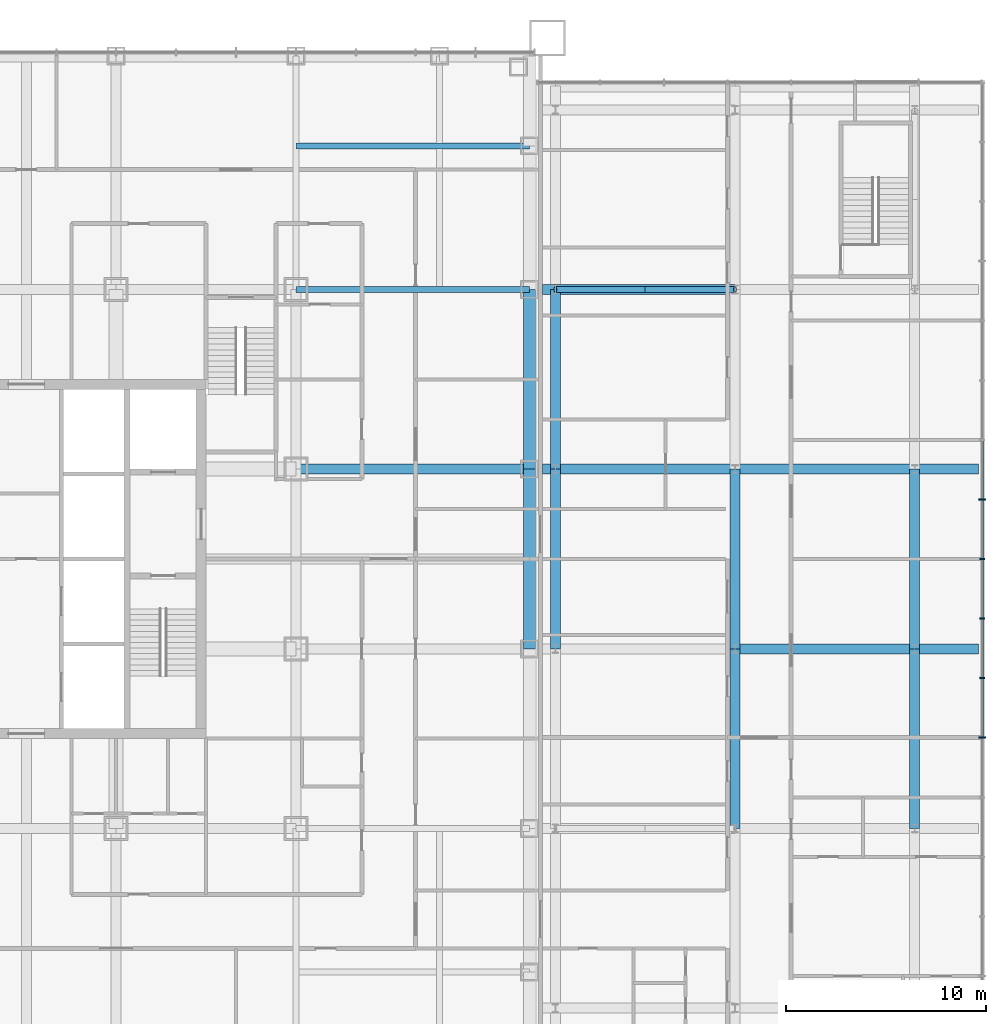
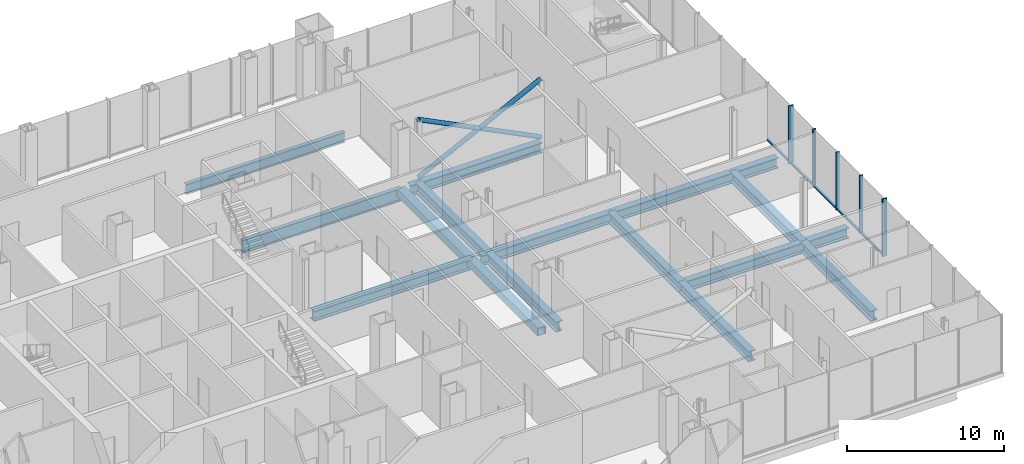
# One storey, part 11 of 25: 15 beams, 12 members, 1 element without a shape of its own.
"""IFC4 building model written with IfcOpenShell, lengths in metres."""

from ifc_helpers import new_model, si_unit, direction, frame, origin, origin_2d, place, context, subcontext, project, spatial, rectangle, hollow_rectangle, hollow_circle, i_section, extrude, material, layer, layer_set, material_profile, profile_set, type_object, element, aggregate, save


model = new_model("IFC4")

# Units and contexts
model_context = context("Model", 3, precision=1e-05, world=origin(), true_north=direction((0.0, 1.0)))
body_context = subcontext(model_context, "Body", "Model", "MODEL_VIEW")
ifc_project = project(units=[si_unit("LENGTHUNIT", "METRE"), si_unit("AREAUNIT", "SQUARE_METRE"), si_unit("VOLUMEUNIT", "CUBIC_METRE"), si_unit("PLANEANGLEUNIT", "RADIAN"), si_unit("MASSUNIT", "GRAM", prefix="KILO")], contexts=[model_context])

# Site, building, storey
site_placement = place(None, origin())
site = spatial("IfcSite", under=ifc_project, at=site_placement, CompositionType="ELEMENT")
building_placement = place(site_placement, origin())
building = spatial("IfcBuilding", under=site, at=building_placement, Name="Malebo Sky Hospital", CompositionType="ELEMENT")
storey_placement = place(building_placement, frame((0.0, 0.0, 16.5)))
storey = spatial("IfcBuildingStorey", under=building, at=storey_placement, Name="L03", CompositionType="ELEMENT", Elevation=16.5)

# Curtain wall, members
ifc_material_1 = material(Name="Anodised aluminium, natural silver", Category="aluminium")
ifc_layer = layer(ifc_material_1, 0.25)
ifc_layer_set = layer_set([ifc_layer], Name="PODIUM CURTAIN WALL")
curtain_wall_type = type_object("IfcCurtainWallType", Name="PODIUM CURTAIN WALL", PredefinedType="NOTDEFINED", material=ifc_layer_set)
curtain_wall_placement = place(storey_placement, origin())
curtain_wall = element("IfcCurtainWall", 1, at=curtain_wall_placement, inside=storey, type_object=curtain_wall_type, Name="POD curtain wall EE", PredefinedType="NOTDEFINED")
ifc_material_profile_1 = material_profile(ifc_material_1, rectangle(XDim=0.14990234375, YDim=0.10009765625, at=origin_2d()), Name="ALUMINIUM TRANSOM 150x100")
ifc_profile_set_1 = profile_set([ifc_material_profile_1], Name="Anodised aluminium, natural silver")
member_type_1 = type_object("IfcMemberType", Name="ALUMINIUM TRANSOM 150x100", PredefinedType="USERDEFINED", material=ifc_profile_set_1)
member_1_placement = place(storey_placement, frame((107.875, 53.08447265625, 0.050048828125), z_axis=(0.0, 1.0, 0.0), x_axis=(-1.0, 0.0, 0.0)))
member_1 = element("IfcMember", 2, at=member_1_placement, type_object=member_type_1, Name="Transom 6", ObjectType="TRANSOM", PredefinedType="USERDEFINED", context=body_context, shape_type="SweptSolid", body=[
    extrude(rectangle(XDim=0.14990234375, YDim=0.10009765625, at=origin_2d()), origin(), (0.0, 0.0, 1.0), 2.9091796875),
])
member_2_placement = place(storey_placement, frame((107.875, 56.068603515625, 0.050048828125), z_axis=(0.0, 1.0, 0.0), x_axis=(-1.0, 0.0, 0.0)))
member_2 = element("IfcMember", 3, at=member_2_placement, type_object=member_type_1, Name="Transom 7", ObjectType="TRANSOM", PredefinedType="USERDEFINED", context=body_context, shape_type="SweptSolid", body=[
    extrude(rectangle(XDim=0.14990234375, YDim=0.10009765625, at=origin_2d()), origin(), (0.0, 0.0, 1.0), 2.909423828125),
])
member_3_placement = place(storey_placement, frame((107.875, 59.052978515625, 0.050048828125), z_axis=(0.0, 1.0, 0.0), x_axis=(-1.0, 0.0, 0.0)))
member_3 = element("IfcMember", 4, at=member_3_placement, type_object=member_type_1, Name="Transom 8", ObjectType="TRANSOM", PredefinedType="USERDEFINED", context=body_context, shape_type="SweptSolid", body=[
    extrude(rectangle(XDim=0.14990234375, YDim=0.10009765625, at=origin_2d()), origin(), (0.0, 0.0, 1.0), 2.909423828125),
])
member_4_placement = place(storey_placement, frame((107.875, 62.03759765625, 0.050048828125), z_axis=(0.0, 1.0, 0.0), x_axis=(-1.0, 0.0, 0.0)))
member_4 = element("IfcMember", 5, at=member_4_placement, type_object=member_type_1, Name="Transom 9", ObjectType="TRANSOM", PredefinedType="USERDEFINED", context=body_context, shape_type="SweptSolid", body=[
    extrude(rectangle(XDim=0.14990234375, YDim=0.10009765625, at=origin_2d()), origin(), (0.0, 0.0, 1.0), 2.909423828125),
])
member_5_placement = place(storey_placement, frame((107.875, 65.02197265625, 0.050048828125), z_axis=(0.0, 1.0, 0.0), x_axis=(-1.0, 0.0, 0.0)))
member_5 = element("IfcMember", 6, at=member_5_placement, type_object=member_type_1, Name="Transom 10", ObjectType="TRANSOM", PredefinedType="USERDEFINED", context=body_context, shape_type="SweptSolid", body=[
    extrude(rectangle(XDim=0.14990234375, YDim=0.10009765625, at=origin_2d()), origin(), (0.0, 0.0, 1.0), 2.909423828125),
])
ifc_material_profile_2 = material_profile(ifc_material_1, rectangle(XDim=0.074951171875, YDim=0.25, at=origin_2d()), Name="CW3 ALUMINIUM FIN MULLION 75x250")
ifc_profile_set_2 = profile_set([ifc_material_profile_2], Name="Anodised aluminium, natural silver")
member_type_2 = type_object("IfcMemberType", Name="CW3 ALUMINIUM FIN MULLION 75x250", PredefinedType="MULLION", material=ifc_profile_set_2)
member_6_placement = place(storey_placement, frame((107.875, 56.03125, 0.0), z_axis=(0.0, 0.0, 1.0), x_axis=(0.0, 1.0, 0.0)))
member_6 = element("IfcMember", 7, at=member_6_placement, type_object=member_type_2, Name="Fin mullion 7", PredefinedType="MULLION", context=body_context, shape_type="SweptSolid", body=[
    extrude(rectangle(XDim=0.074951171875, YDim=0.25, at=origin_2d()), origin(), (0.0, 0.0, 1.0), 4.5),
])
member_7_placement = place(storey_placement, frame((107.875, 59.015625, 0.0), z_axis=(0.0, 0.0, 1.0), x_axis=(0.0, 1.0, 0.0)))
member_7 = element("IfcMember", 8, at=member_7_placement, type_object=member_type_2, Name="Fin mullion 8", PredefinedType="MULLION", context=body_context, shape_type="SweptSolid", body=[
    extrude(rectangle(XDim=0.074951171875, YDim=0.25, at=origin_2d()), origin(), (0.0, 0.0, 1.0), 4.5),
])
member_8_placement = place(storey_placement, frame((107.875, 62.0, 0.0), z_axis=(0.0, 0.0, 1.0), x_axis=(0.0, 1.0, 0.0)))
member_8 = element("IfcMember", 9, at=member_8_placement, type_object=member_type_2, Name="Fin mullion 9", PredefinedType="MULLION", context=body_context, shape_type="SweptSolid", body=[
    extrude(rectangle(XDim=0.074951171875, YDim=0.25, at=origin_2d()), origin(), (0.0, 0.0, 1.0), 4.5),
])
ifc_material_profile_3 = material_profile(ifc_material_1, rectangle(XDim=0.074951171875, YDim=0.35009765625, at=origin_2d()), Name="CW3 ALUMINIUM FIN MULLION 75x350")
ifc_profile_set_3 = profile_set([ifc_material_profile_3], Name="Anodised aluminium, natural silver")
member_type_3 = type_object("IfcMemberType", Name="CW3 ALUMINIUM FIN MULLION 75x350", PredefinedType="MULLION", material=ifc_profile_set_3)
member_9_placement = place(storey_placement, frame((107.875, 53.046875, 0.0), z_axis=(0.0, 0.0, 1.0), x_axis=(0.0, 1.0, 0.0)))
member_9 = element("IfcMember", 10, at=member_9_placement, type_object=member_type_3, Name="Fin mullion 6", PredefinedType="MULLION", context=body_context, shape_type="SweptSolid", body=[
    extrude(rectangle(XDim=0.074951171875, YDim=0.35009765625, at=origin_2d()), origin(), (0.0, 0.0, 1.0), 4.5),
])
member_10_placement = place(storey_placement, frame((107.875, 64.984375, 0.0), z_axis=(0.0, 0.0, 1.0), x_axis=(0.0, 1.0, 0.0)))
member_10 = element("IfcMember", 11, at=member_10_placement, type_object=member_type_3, Name="Fin mullion 10", PredefinedType="MULLION", context=body_context, shape_type="SweptSolid", body=[
    extrude(rectangle(XDim=0.074951171875, YDim=0.35009765625, at=origin_2d()), origin(), (0.0, 0.0, 1.0), 4.5),
])
aggregate(curtain_wall, [member_9, member_6, member_7, member_8, member_10, member_1, member_2, member_3, member_4, member_5])

# Beams
ifc_material_2 = material(Name="Steel S460", Category="steel")
ifc_material_profile_4 = material_profile(ifc_material_2, hollow_rectangle(XDim=0.60009765625, YDim=0.60009765625, WallThickness=0.0400390625, at=origin_2d()), Name="BOX 600x600x40")
ifc_profile_set_4 = profile_set([ifc_material_profile_4], Name="Steel S460")
beam_type_1 = type_object("IfcBeamType", Name="EDGE BEAM BOX 600x600x40", PredefinedType="BEAM", material=ifc_profile_set_4)
for number, where, z_axis, x_axis, name in (
    (12, (85.199951171875, 57.5, -0.60009765625), (0.0, 1.0, 0.0), (-1.0, 0.0, 0.0), "Beam 034 L03"),
    (13, (85.199951171875, 66.5, -0.60009765625), (0.0, 1.0, 0.0), (-1.0, 0.0, 0.0), "Beam 035 L03"),
):
    element("IfcBeam", number, at=place(storey_placement, frame(where, z_axis=z_axis, x_axis=x_axis)), inside=storey, type_object=beam_type_1, Name=name, PredefinedType="BEAM", context=body_context, shape_type="SweptSolid", body=[
        extrude(hollow_rectangle(XDim=0.60009765625, YDim=0.60009765625, WallThickness=0.0400390625, at=origin_2d()), origin(), (0.0, 0.0, 1.0), 9.0),
    ])
ifc_material_3 = material(Name="Steel S355", Category="steel")
ifc_material_profile_5 = material_profile(ifc_material_3, i_section(OverallWidth=0.300048828125, OverallDepth=0.800048828125, WebThickness=0.017578125, FlangeThickness=0.032958984375, FilletRadius=0.030029296875, at=origin_2d()), Name="HEB 800")
ifc_profile_set_5 = profile_set([ifc_material_profile_5], Name="Steel S355")
beam_type_2 = type_object("IfcBeamType", Name="FLOOR BEAM HEB 800", PredefinedType="BEAM", material=ifc_profile_set_5)
beam_1_placement = place(storey_placement, frame((73.5, 82.699951171875, -0.699951171875), z_axis=(1.0, 0.0, 0.0), x_axis=(0.0, 1.0, 0.0)))
element("IfcBeam", 14, at=beam_1_placement, inside=storey, type_object=beam_type_2, Name="Beam 068 L03", PredefinedType="BEAM", context=body_context, shape_type="SweptSolid", body=[
    extrude(i_section(OverallWidth=0.300048828125, OverallDepth=0.800048828125, WebThickness=0.017578125, FlangeThickness=0.032958984375, FilletRadius=0.030029296875, at=origin_2d()), origin(), (0.0, 0.0, 1.0), 11.699951171875),
])
ifc_material_profile_6 = material_profile(ifc_material_3, i_section(OverallWidth=0.5, OverallDepth=0.800048828125, WebThickness=0.030029296875, FlangeThickness=0.050048828125, at=origin_2d()), Name="PG 800x500x30x50")
ifc_profile_set_6 = profile_set([ifc_material_profile_6], Name="Steel S355")
beam_type_3 = type_object("IfcBeamType", Name="FLOOR BEAM PG 800x500x30x50", PredefinedType="BEAM", material=ifc_profile_set_6)
beam_2_placement = place(storey_placement, frame((73.5, 66.5, -0.699951171875), z_axis=(1.0, 0.0, 0.0), x_axis=(0.0, 1.0, 0.0)))
element("IfcBeam", 15, at=beam_2_placement, inside=storey, type_object=beam_type_3, Name="Beam 061 L03", PredefinedType="BEAM", context=body_context, shape_type="SweptSolid", body=[
    extrude(i_section(OverallWidth=0.5, OverallDepth=0.800048828125, WebThickness=0.030029296875, FlangeThickness=0.050048828125, at=origin_2d()), origin(), (0.0, 0.0, 1.0), 11.699951171875),
])
for number, where, z_axis, x_axis, name in (
    (16, (86.5, 57.5, -0.699951171875), (0.0, 1.0, 0.0), (-1.0, 0.0, 0.0), "Beam E003 L03"),
    (17, (86.5, 66.5, -0.699951171875), (0.0, 1.0, 0.0), (-1.0, 0.0, 0.0), "Beam E004 L03"),
    (18, (95.5, 48.5, -0.699951171875), (0.0, 1.0, 0.0), (-1.0, 0.0, 0.0), "Beam E007 L03"),
    (19, (95.5, 57.5, -0.699951171875), (0.0, 1.0, 0.0), (-1.0, 0.0, 0.0), "Beam E008 L03"),
    (20, (104.5, 48.5, -0.699951171875), (0.0, 1.0, 0.0), (-1.0, 0.0, 0.0), "Beam E012 L03"),
    (21, (104.5, 57.5, -0.699951171875), (0.0, 1.0, 0.0), (-1.0, 0.0, 0.0), "Beam E013 L03"),
):
    element("IfcBeam", number, at=place(storey_placement, frame(where, z_axis=z_axis, x_axis=x_axis)), inside=storey, type_object=beam_type_3, Name=name, PredefinedType="BEAM", context=body_context, shape_type="SweptSolid", body=[
        extrude(i_section(OverallWidth=0.5, OverallDepth=0.800048828125, WebThickness=0.030029296875, FlangeThickness=0.050048828125, at=origin_2d()), origin(), (0.0, 0.0, 1.0), 9.0),
    ])
beam_3_placement = place(storey_placement, frame((95.5, 57.5, -0.699951171875), z_axis=(1.0, 0.0, 0.0), x_axis=(0.0, 1.0, 0.0)))
element("IfcBeam", 22, at=beam_3_placement, inside=storey, type_object=beam_type_3, Name="Beam E021 L03", PredefinedType="BEAM", context=body_context, shape_type="SweptSolid", body=[
    extrude(i_section(OverallWidth=0.5, OverallDepth=0.800048828125, WebThickness=0.030029296875, FlangeThickness=0.050048828125, at=origin_2d()), origin(), (0.0, 0.0, 1.0), 12.199951171875),
])
beam_4_placement = place(storey_placement, frame((85.85009765625, 66.5, -0.699951171875), z_axis=(1.0, 0.0, 0.0), x_axis=(0.0, 1.0, 0.0)))
element("IfcBeam", 23, at=beam_4_placement, inside=storey, type_object=beam_type_3, Name="Beam E022 L03", PredefinedType="BEAM", context=body_context, shape_type="SweptSolid", body=[
    extrude(i_section(OverallWidth=0.5, OverallDepth=0.800048828125, WebThickness=0.030029296875, FlangeThickness=0.050048828125, at=origin_2d()), origin(), (0.0, 0.0, 1.0), 9.64990234375),
])
beam_5_placement = place(storey_placement, frame((95.5, 66.5, -0.699951171875), z_axis=(1.0, 0.0, 0.0), x_axis=(0.0, 1.0, 0.0)))
element("IfcBeam", 24, at=beam_5_placement, inside=storey, type_object=beam_type_3, Name="Beam E023 L03", PredefinedType="BEAM", context=body_context, shape_type="SweptSolid", body=[
    extrude(i_section(OverallWidth=0.5, OverallDepth=0.800048828125, WebThickness=0.030029296875, FlangeThickness=0.050048828125, at=origin_2d()), origin(), (0.0, 0.0, 1.0), 12.199951171875),
])
beam_6_placement = place(storey_placement, frame((85.85009765625, 75.5, -0.699951171875), z_axis=(1.0, 0.0, 0.0), x_axis=(0.0, 1.0, 0.0)))
element("IfcBeam", 25, at=beam_6_placement, inside=storey, type_object=beam_type_3, Name="Beam E024 L03", PredefinedType="BEAM", context=body_context, shape_type="SweptSolid", body=[
    extrude(i_section(OverallWidth=0.5, OverallDepth=0.800048828125, WebThickness=0.030029296875, FlangeThickness=0.050048828125, at=origin_2d()), origin(), (0.0, 0.0, 1.0), 9.64990234375),
])
ifc_material_profile_7 = material_profile(ifc_material_3, i_section(OverallWidth=0.300048828125, OverallDepth=1.0, WebThickness=0.01904296875, FlangeThickness=0.035888671875, FilletRadius=0.030029296875, at=origin_2d()), Name="HEB 1000")
ifc_profile_set_7 = profile_set([ifc_material_profile_7], Name="Steel S355")
beam_type_4 = type_object("IfcBeamType", Name="FLOOR GIRDER HEB 1000", PredefinedType="BEAM", material=ifc_profile_set_7)
beam_7_placement = place(storey_placement, frame((73.5, 75.5, -0.800048828125), z_axis=(1.0, 0.0, 0.0), x_axis=(0.0, 1.0, 0.0)))
element("IfcBeam", 26, at=beam_7_placement, inside=storey, type_object=beam_type_4, Name="Beam 066 L03", PredefinedType="BEAM", context=body_context, shape_type="SweptSolid", body=[
    extrude(i_section(OverallWidth=0.300048828125, OverallDepth=1.0, WebThickness=0.01904296875, FlangeThickness=0.035888671875, FilletRadius=0.030029296875, at=origin_2d()), origin(), (0.0, 0.0, 1.0), 11.699951171875),
])

# Members
ifc_material_profile_8 = material_profile(ifc_material_2, hollow_circle(Radius=0.161865234375, WallThickness=0.012451171875, at=origin_2d()), Name="CHS 323.9x12.5")
ifc_profile_set_8 = profile_set([ifc_material_profile_8], Name="Steel S460")
member_type_4 = type_object("IfcMemberType", Name="WING BRACE CHS 323.9x12.5", PredefinedType="BRACE", material=ifc_profile_set_8)
for number, where, z_axis, x_axis, name in (
    (27, (86.5, 75.5, 0.0), (0.894427191, 0.0, 0.4472135955), (0.0, 1.0, 0.0), "Wing brace E3.1 L03"),
    (28, (95.5, 75.5, 0.0), (-0.894427191, 0.0, 0.4472135955), (0.0, -1.0, 0.0), "Wing brace E3.2 L03"),
):
    element("IfcMember", number, at=place(storey_placement, frame(where, z_axis=z_axis, x_axis=x_axis)), inside=storey, type_object=member_type_4, Name=name, PredefinedType="BRACE", context=body_context, shape_type="SweptSolid", body=[
        extrude(hollow_circle(Radius=0.161865234375, WallThickness=0.012451171875, at=origin_2d()), origin(), (0.0, 0.0, 1.0), 10.062255859375),
    ])

save(model, "model.ifc")
